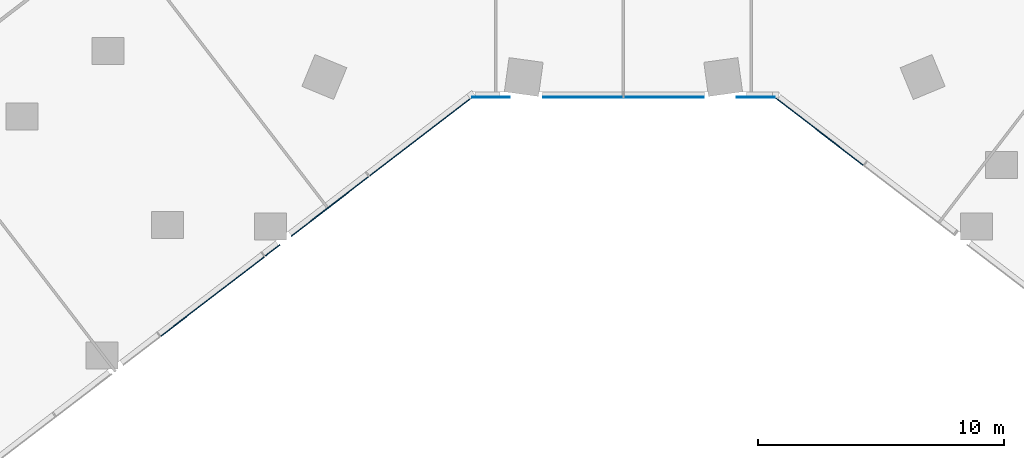
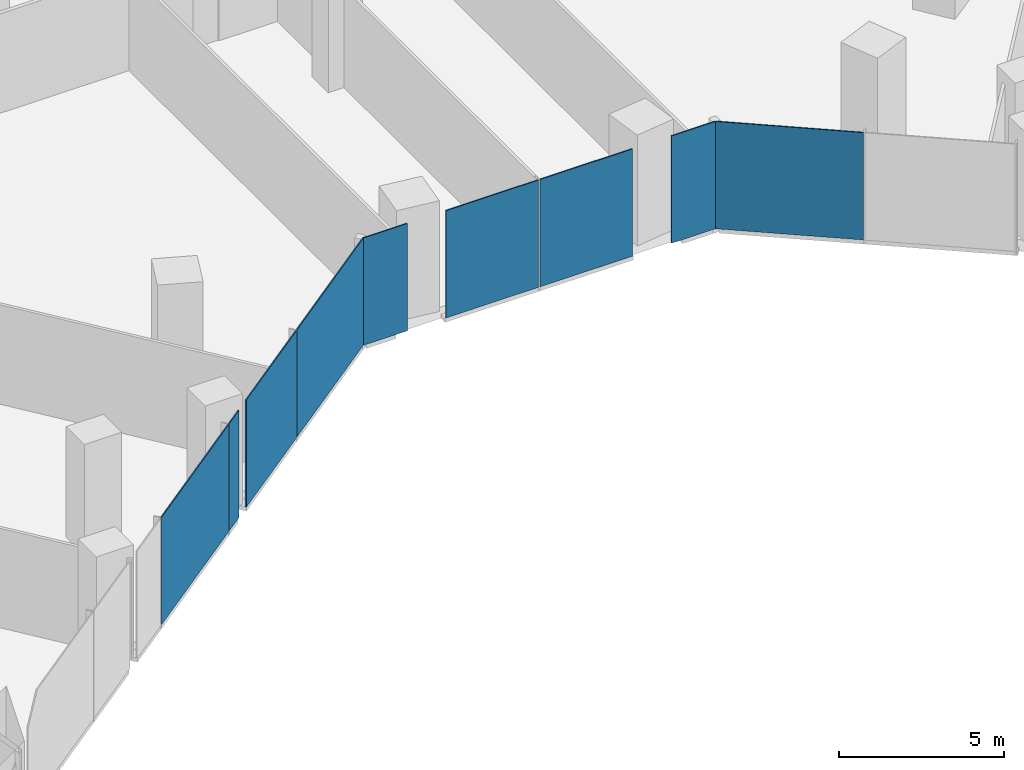
# One storey, part 15 of 29: 9 plates, 3 elements without a shape of their own.
"""IFC4 building model written with IfcOpenShell, lengths in metres."""

from ifc_helpers import new_model, si_unit, direction, frame, origin, origin_2d, place, context, subcontext, project, spatial, rectangle, extrude, material, layer, layer_set, type_object, element, aggregate, save


model = new_model("IFC4")

# Units and contexts
model_context = context("Model", 3, precision=1e-05, world=origin(), true_north=direction((0.0, 1.0)))
body_context = subcontext(model_context, "Body", "Model", "MODEL_VIEW")
ifc_project = project(units=[si_unit("LENGTHUNIT", "METRE"), si_unit("AREAUNIT", "SQUARE_METRE"), si_unit("VOLUMEUNIT", "CUBIC_METRE"), si_unit("PLANEANGLEUNIT", "RADIAN"), si_unit("MASSUNIT", "GRAM", prefix="KILO")], contexts=[model_context])

# Site, building, storey
site_placement = place(None, origin())
site = spatial("IfcSite", under=ifc_project, at=site_placement, CompositionType="ELEMENT")
building_placement = place(site_placement, origin())
building = spatial("IfcBuilding", under=site, at=building_placement, Name="Orlundy Tower", CompositionType="ELEMENT")
storey_placement = place(building_placement, frame((0.0, 0.0, 25.10009765625)))
storey = spatial("IfcBuildingStorey", under=building, at=storey_placement, Name="L04", CompositionType="ELEMENT", Elevation=25.10009765625)

# Curtain wall, plate
ifc_material_1 = material(Name="Aluminium bronze anodised", Category="aluminium")
curtain_wall_type = type_object("IfcCurtainWallType", Name="CW2 wall", PredefinedType="NOTDEFINED", material=ifc_material_1)
curtain_wall_1_placement = place(storey_placement, origin())
curtain_wall_1 = element("IfcCurtainWall", 1, at=curtain_wall_1_placement, inside=storey, type_object=curtain_wall_type, Name="CW2 run 00", PredefinedType="NOTDEFINED")
ifc_material_2 = material(Name="Tinted glass", Category="glass")
ifc_layer = layer(ifc_material_2, 0.0380859375)
ifc_layer_set = layer_set([ifc_layer], Name="CW2 glass panel 38")
plate_type = type_object("IfcPlateType", Name="CW2 glass panel 38", PredefinedType="CURTAIN_PANEL", material=ifc_layer_set)
plate_1_placement = place(storey_placement, frame((7.96044921875, -31.609130859375, -0.27001953125), z_axis=(0.0, 0.0, 1.0), x_axis=(-0.793356622022, 0.60875715215, 0.0)))
plate_1 = element("IfcPlate", 2, at=plate_1_placement, type_object=plate_type, Name="CW2 panel", PredefinedType="CURTAIN_PANEL", context=body_context, shape_type="SweptSolid", body=[
    extrude(rectangle(XDim=4.52734375, YDim=0.0380859375, at=origin_2d()), origin(), (0.0, 0.0, 1.0), 3.969970703125),
])
aggregate(curtain_wall_1, [plate_1])

# Curtain wall, plates
curtain_wall_2_placement = place(storey_placement, origin())
curtain_wall_2 = element("IfcCurtainWall", 3, at=curtain_wall_2_placement, inside=storey, type_object=curtain_wall_type, Name="CW2 run 01", PredefinedType="NOTDEFINED")
plate_2_placement = place(storey_placement, frame((5.392578125, -30.23095703125, -0.27001953125), z_axis=(0.0, 0.0, 1.0), x_axis=(-1.0, 0.0, 0.0)))
plate_2 = element("IfcPlate", 4, at=plate_2_placement, type_object=plate_type, Name="CW2 panel", PredefinedType="CURTAIN_PANEL", context=body_context, shape_type="SweptSolid", body=[
    extrude(rectangle(XDim=1.5439453125, YDim=0.0380859375, at=origin_2d()), origin(), (0.0, 0.0, 1.0), 3.969970703125),
])
plate_3_placement = place(storey_placement, frame((1.64501953125, -30.23095703125, -0.27001953125), z_axis=(0.0, 0.0, 1.0), x_axis=(-1.0, 0.0, 0.0)))
plate_3 = element("IfcPlate", 5, at=plate_3_placement, type_object=plate_type, Name="CW2 panel", PredefinedType="CURTAIN_PANEL", context=body_context, shape_type="SweptSolid", body=[
    extrude(rectangle(XDim=3.240234375, YDim=0.0380859375, at=origin_2d()), origin(), (0.0, 0.0, 1.0), 3.969970703125),
])
plate_4_placement = place(storey_placement, frame((-1.64501953125, -30.23095703125, -0.27001953125), z_axis=(0.0, 0.0, 1.0), x_axis=(-1.0, 0.0, 0.0)))
plate_4 = element("IfcPlate", 6, at=plate_4_placement, type_object=plate_type, Name="CW2 panel", PredefinedType="CURTAIN_PANEL", context=body_context, shape_type="SweptSolid", body=[
    extrude(rectangle(XDim=3.240234375, YDim=0.0380859375, at=origin_2d()), origin(), (0.0, 0.0, 1.0), 3.969970703125),
])
plate_5_placement = place(storey_placement, frame((-5.392578125, -30.23095703125, -0.27001953125), z_axis=(0.0, 0.0, 1.0), x_axis=(-1.0, 0.0, 0.0)))
plate_5 = element("IfcPlate", 7, at=plate_5_placement, type_object=plate_type, Name="CW2 panel", PredefinedType="CURTAIN_PANEL", context=body_context, shape_type="SweptSolid", body=[
    extrude(rectangle(XDim=1.5439453125, YDim=0.0380859375, at=origin_2d()), origin(), (0.0, 0.0, 1.0), 3.969970703125),
])
aggregate(curtain_wall_2, [plate_2, plate_3, plate_4, plate_5])

curtain_wall_3_placement = place(storey_placement, origin())
curtain_wall_3 = element("IfcCurtainWall", 8, at=curtain_wall_3_placement, inside=storey, type_object=curtain_wall_type, Name="CW2 run 02", PredefinedType="NOTDEFINED")
plate_6_placement = place(storey_placement, frame((-8.24853515625, -31.830078125, -0.27001953125), z_axis=(0.0, 0.0, 1.0), x_axis=(-0.793352099111, -0.608763046543, 0.0)))
plate_6 = element("IfcPlate", 9, at=plate_6_placement, type_object=plate_type, Name="CW2 panel", PredefinedType="CURTAIN_PANEL", context=body_context, shape_type="SweptSolid", body=[
    extrude(rectangle(XDim=5.25341796875, YDim=0.0380859375, at=origin_2d()), origin(), (0.0, 0.0, 1.0), 3.969970703125),
])
plate_7_placement = place(storey_placement, frame((-11.946533203125, -34.667724609375, -0.27001953125), z_axis=(0.0, 0.0, 1.0), x_axis=(-0.793352099111, -0.608763046543, 0.0)))
plate_7 = element("IfcPlate", 10, at=plate_7_placement, type_object=plate_type, Name="CW2 panel", PredefinedType="CURTAIN_PANEL", context=body_context, shape_type="SweptSolid", body=[
    extrude(rectangle(XDim=3.96923828125, YDim=0.0380859375, at=origin_2d()), origin(), (0.0, 0.0, 1.0), 3.969970703125),
])
plate_8_placement = place(storey_placement, frame((-14.282470703125, -36.4599609375, -0.27001953125), z_axis=(0.0, 0.0, 1.0), x_axis=(-0.793352099111, -0.608763046543, 0.0)))
plate_8 = element("IfcPlate", 11, at=plate_8_placement, type_object=plate_type, Name="CW2 panel", PredefinedType="CURTAIN_PANEL", context=body_context, shape_type="SweptSolid", body=[
    extrude(rectangle(XDim=0.755615234375, YDim=0.0380859375, at=origin_2d()), origin(), (0.0, 0.0, 1.0), 3.969970703125),
])
plate_9_placement = place(storey_placement, frame((-16.726806640625, -38.335693359375, -0.27001953125), z_axis=(0.0, 0.0, 1.0), x_axis=(-0.793352099111, -0.608763046543, 0.0)))
plate_9 = element("IfcPlate", 12, at=plate_9_placement, type_object=plate_type, Name="CW2 panel", PredefinedType="CURTAIN_PANEL", context=body_context, shape_type="SweptSolid", body=[
    extrude(rectangle(XDim=5.306884765625, YDim=0.0380859375, at=origin_2d()), origin(), (0.0, 0.0, 1.0), 3.969970703125),
])
aggregate(curtain_wall_3, [plate_6, plate_7, plate_8, plate_9])

save(model, "model.ifc")
